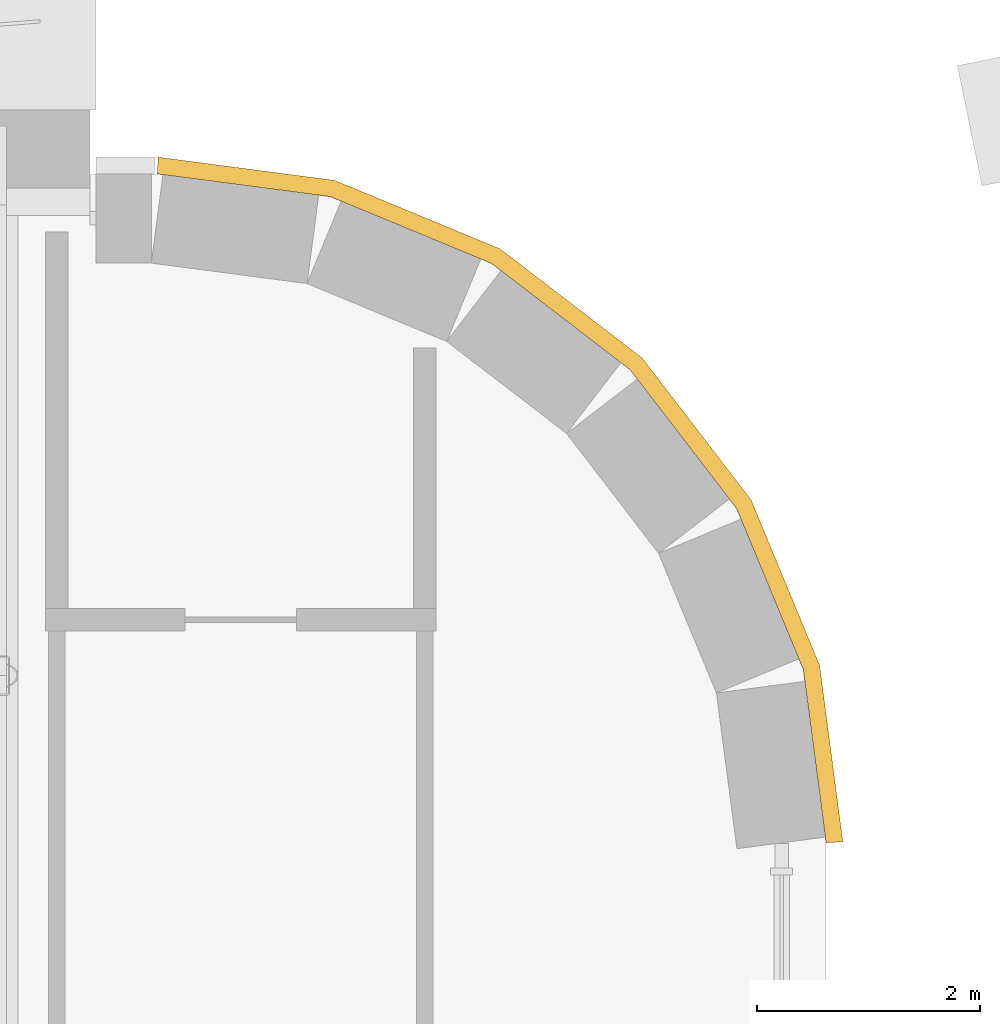
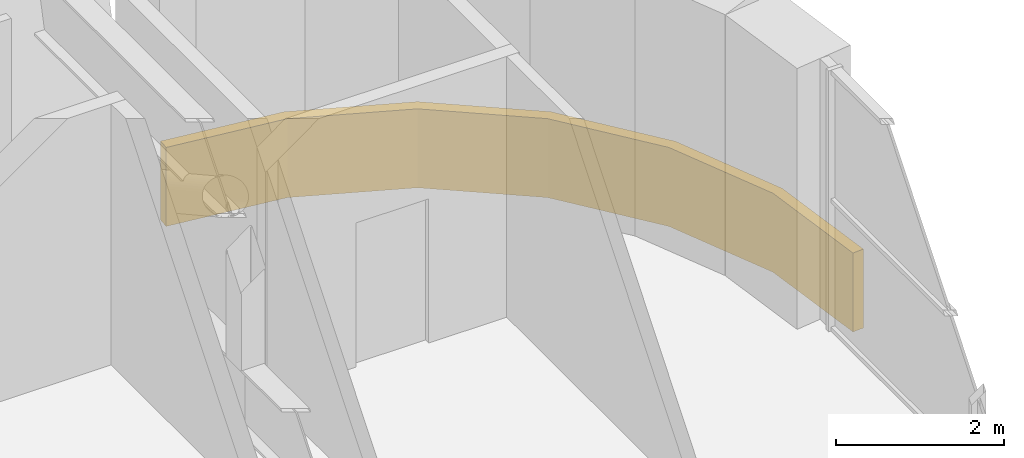
# One storey, part 27 of 27: 1 covering.
"""IFC4 building model written with IfcOpenShell, lengths in metres."""

from ifc_helpers import new_model, si_unit, direction, frame, origin, place, context, subcontext, project, spatial, polyline, outline, extrude, material, layer, layer_set, type_object, element, save


model = new_model("IFC4")

# Units and contexts
model_context = context("Model", 3, precision=1e-05, world=origin(), true_north=direction((0.0, 1.0)))
body_context = subcontext(model_context, "Body", "Model", "MODEL_VIEW")
ifc_project = project(units=[si_unit("LENGTHUNIT", "METRE"), si_unit("AREAUNIT", "SQUARE_METRE"), si_unit("VOLUMEUNIT", "CUBIC_METRE"), si_unit("PLANEANGLEUNIT", "RADIAN"), si_unit("MASSUNIT", "GRAM", prefix="KILO")], contexts=[model_context])

# Site, building, storey
site_placement = place(None, origin())
site = spatial("IfcSite", under=ifc_project, at=site_placement, CompositionType="ELEMENT")
building_placement = place(site_placement, origin())
building = spatial("IfcBuilding", under=site, at=building_placement, Name="Zellij Exchange Tower", CompositionType="ELEMENT")
storey_placement = place(building_placement, frame((0.0, 0.0, 104.5)))
storey = spatial("IfcBuildingStorey", under=building, at=storey_placement, Name="L22", CompositionType="ELEMENT", Elevation=104.5)

# Covering
ifc_material = material(Name="Limestone cladding", Category="masonry")
ifc_layer = layer(ifc_material, 0.14990234375)
ifc_layer_set = layer_set([ifc_layer], Name="Limestone cladding")
covering_type = type_object("IfcCoveringType", Name="ENV-CV1 Stone spandrel band 150", PredefinedType="CLADDING", material=ifc_layer_set)
covering_placement = place(storey_placement, frame((0.0, 0.0, -0.35009765625)))
element("IfcCovering", 1, at=covering_placement, inside=storey, type_object=covering_type, Name="Stone spandrel band", PredefinedType="CLADDING", context=body_context, shape_type="SweptSolid", body=[
    extrude(outline(polyline([(34.5, 12.5), (34.295654296875, 14.052978515625), (33.6962890625, 15.5), (32.74267578125, 16.74267578125), (31.5, 17.6962890625), (30.052978515625, 18.295654296875), (28.5, 18.5), (28.509765625, 18.64990234375), (30.092041015625, 18.441650390625), (31.57568359375, 17.8271484375), (32.849609375, 16.849609375), (33.8271484375, 15.57568359375), (34.441650390625, 14.092041015625), (34.64990234375, 12.509765625), (34.5, 12.5)])), origin(), (0.0, 0.0, 1.0), 1.150146484375),
])

save(model, "model.ifc")
